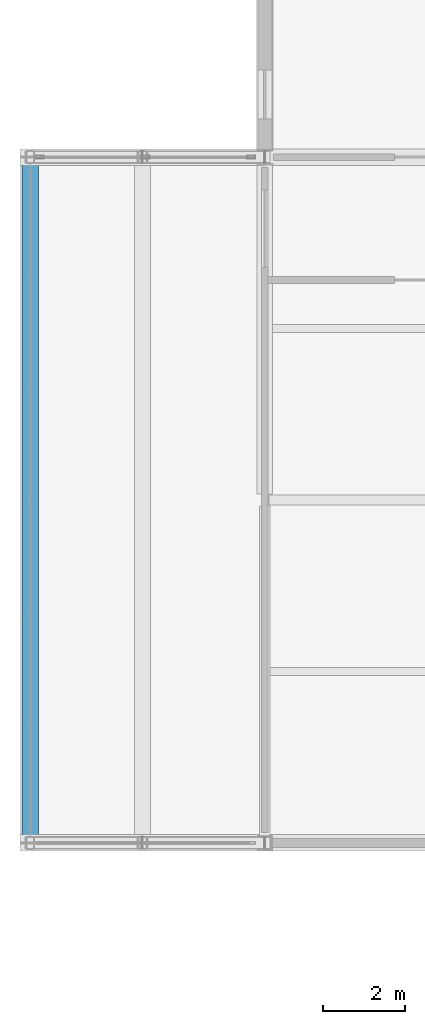
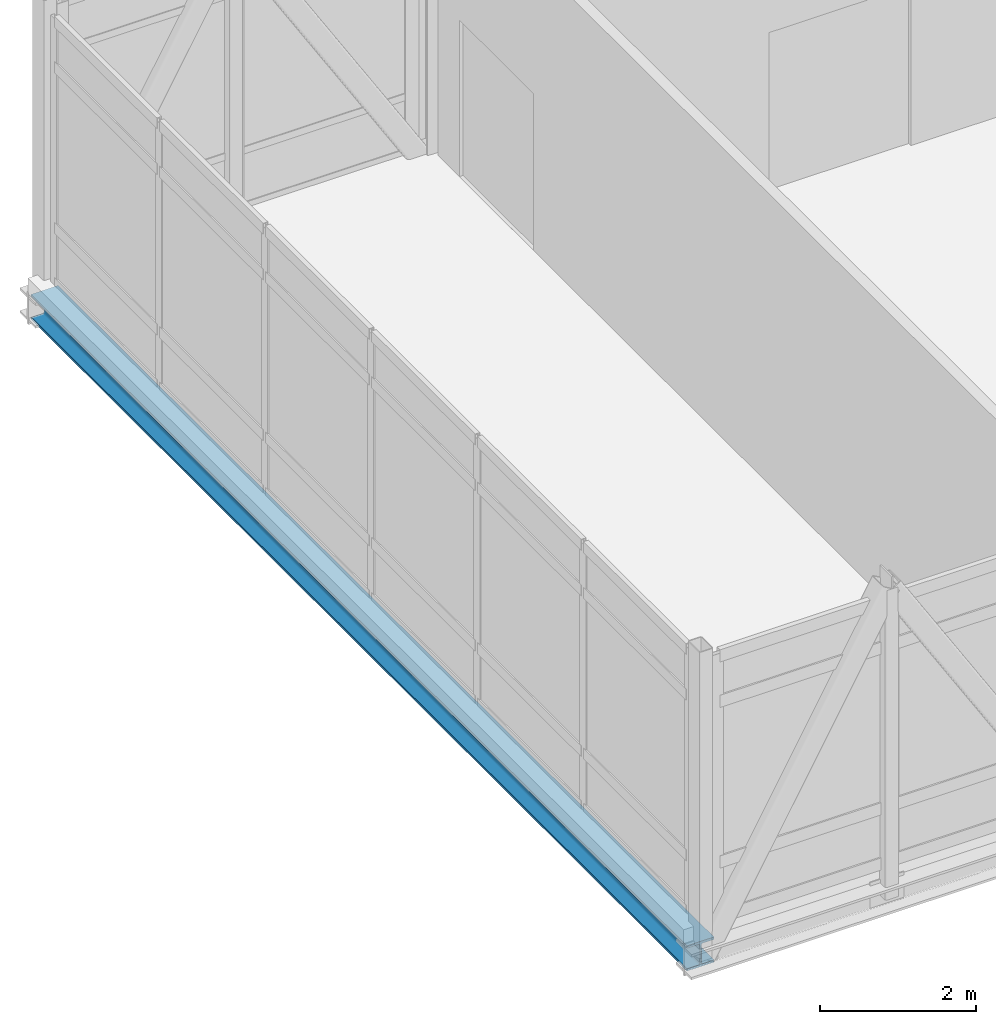
# One storey, part 11 of 45: 1 beam.
"""IFC4 building model written with IfcOpenShell, lengths in metres."""

from ifc_helpers import new_model, si_unit, direction, frame, origin, origin_2d, place, context, subcontext, project, spatial, i_section, extrude, material, material_profile, profile_set, type_object, element, save


model = new_model("IFC4")

# Units and contexts
model_context = context("Model", 3, precision=1e-05, world=origin(), true_north=direction((0.0, 1.0)))
body_context = subcontext(model_context, "Body", "Model", "MODEL_VIEW")
ifc_project = project(units=[si_unit("LENGTHUNIT", "METRE"), si_unit("AREAUNIT", "SQUARE_METRE"), si_unit("VOLUMEUNIT", "CUBIC_METRE"), si_unit("PLANEANGLEUNIT", "RADIAN"), si_unit("MASSUNIT", "GRAM", prefix="KILO")], contexts=[model_context])

# Site, building, storey
site_placement = place(None, origin())
site = spatial("IfcSite", under=ifc_project, at=site_placement, CompositionType="ELEMENT")
building_placement = place(site_placement, origin())
building = spatial("IfcBuilding", under=site, at=building_placement, Name="Calvrana Isthmian Art Gallery", CompositionType="ELEMENT")
storey_placement = place(building_placement, frame((0.0, 0.0, 19.800048828125)))
storey = spatial("IfcBuildingStorey", under=building, at=storey_placement, Name="L04", CompositionType="ELEMENT", Elevation=19.800048828125)

# Beam
ifc_material = material(Name="Steel ASTM A992 Gr 50", Category="steel")
ifc_material_profile = material_profile(ifc_material, i_section(OverallWidth=0.39892578125, OverallDepth=0.39404296875, WebThickness=0.022705078125, FlangeThickness=0.03662109375, FilletRadius=0.02490234375, at=origin_2d()), Name="W14X193")
ifc_profile_set = profile_set([ifc_material_profile], Name="Steel ASTM A992 Gr 50")
beam_type = type_object("IfcBeamType", Name="BM-CANT-CHORD", PredefinedType="BEAM", material=ifc_profile_set)
beam_placement = place(storey_placement, frame((15.85009765625, 21.60009765625, -0.467041015625), z_axis=(0.0, 1.0, 0.0), x_axis=(-1.0, 0.0, 0.0)))
element("IfcBeam", 1, at=beam_placement, inside=storey, type_object=beam_type, Name="Lookout transverse girder L04-1", PredefinedType="BEAM", context=body_context, shape_type="SweptSolid", body=[
    extrude(i_section(OverallWidth=0.39892578125, OverallDepth=0.39404296875, WebThickness=0.022705078125, FlangeThickness=0.03662109375, FilletRadius=0.02490234375, at=origin_2d()), origin(), (0.0, 0.0, 1.0), 16.7998046875),
])

save(model, "model.ifc")
